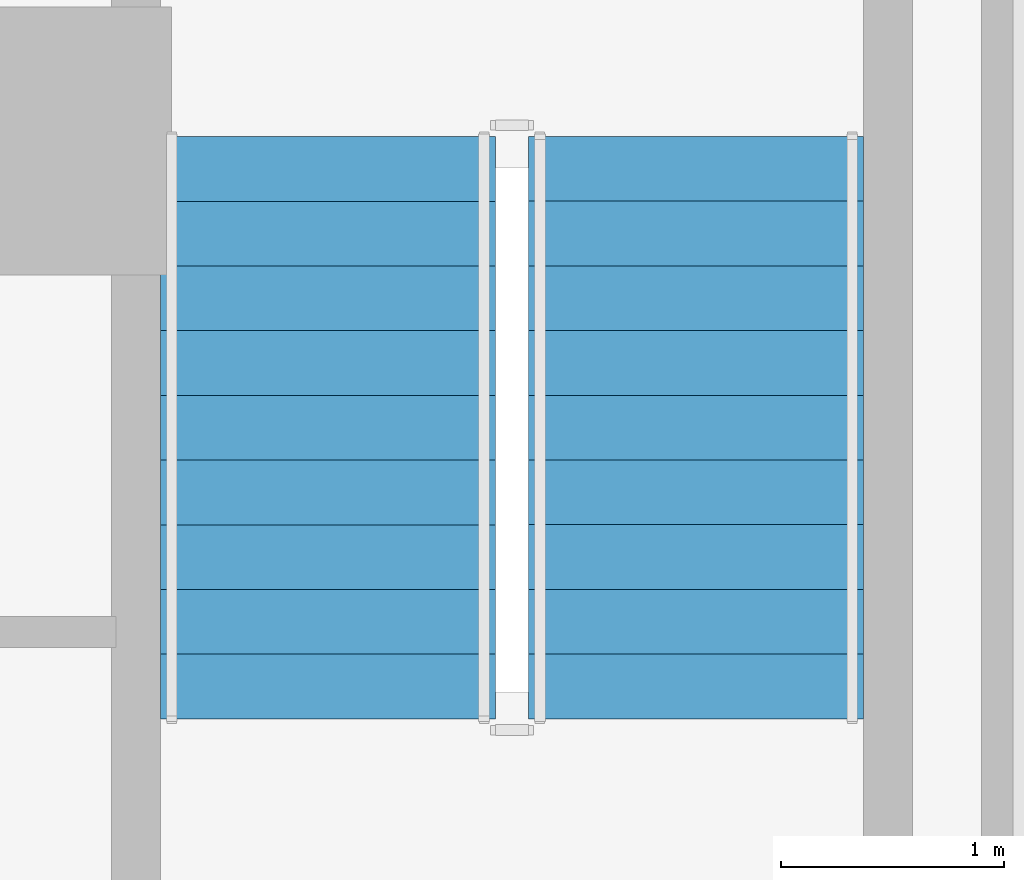
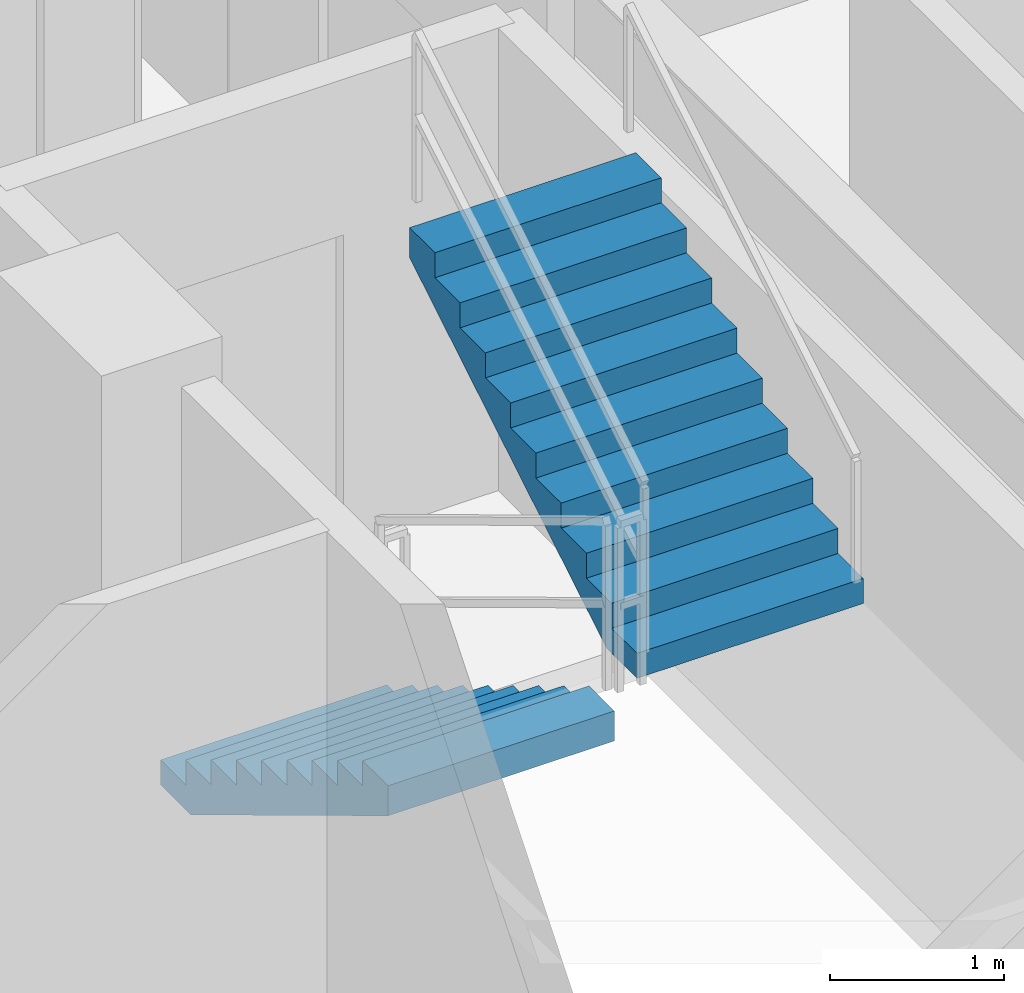
# One storey, part 27 of 31: 2 stair flights, 1 element without a shape of its own.
"""IFC4 building model written with IfcOpenShell, lengths in metres."""

from ifc_helpers import new_model, si_unit, direction, frame, origin, place, context, subcontext, project, spatial, polyline, outline, extrude, material, type_object, element, aggregate, save


model = new_model("IFC4")

# Units and contexts
model_context = context("Model", 3, precision=1e-05, world=origin(), true_north=direction((0.0, 1.0)))
body_context = subcontext(model_context, "Body", "Model", "MODEL_VIEW")
ifc_project = project(units=[si_unit("LENGTHUNIT", "METRE"), si_unit("AREAUNIT", "SQUARE_METRE"), si_unit("VOLUMEUNIT", "CUBIC_METRE"), si_unit("PLANEANGLEUNIT", "RADIAN"), si_unit("MASSUNIT", "GRAM", prefix="KILO")], contexts=[model_context])

# Site, building, storey
site_placement = place(None, origin())
site = spatial("IfcSite", under=ifc_project, at=site_placement, CompositionType="ELEMENT")
building_placement = place(site_placement, origin())
building = spatial("IfcBuilding", under=site, at=building_placement, Name="Vorneva Point Tower", CompositionType="ELEMENT")
storey_placement = place(building_placement, frame((0.0, 0.0, 136.10009765625)))
storey = spatial("IfcBuildingStorey", under=building, at=storey_placement, Name="L36", CompositionType="ELEMENT", Elevation=136.10009765625)

# Stair, stair flights
ifc_material = material(Name="Concrete B50 (C40/50)", Category="concrete")
stair_type = type_object("IfcStairType", Name="ST-DOG-1500", PredefinedType="HALF_TURN_STAIR", material=ifc_material)
stair_placement = place(storey_placement, origin())
stair = element("IfcStair", 1, at=stair_placement, inside=storey, type_object=stair_type, Name="L36 ST2", PredefinedType="HALF_TURN_STAIR")
stair_flight_type = type_object("IfcStairFlightType", Name="STF-1500", PredefinedType="STRAIGHT", material=ifc_material)
stair_flight_1_placement = place(storey_placement, frame((45.550048828125, 22.219970703125, 0.0), z_axis=(0.0, 0.0, 1.0), x_axis=(0.0, -1.0, 0.0)))
stair_flight_1 = element("IfcStairFlight", 2, at=stair_flight_1_placement, type_object=stair_flight_type, Name="ST2 flight 1", NumberOfRisers=10, NumberOfTreads=9, PredefinedType="STRAIGHT", RiserHeight=0.175, TreadLength=0.29, context=body_context, shape_type="SweptSolid", body=[
    extrude(outline(polyline([(0.0, 0.0), (0.0, 0.175048828125), (0.2900390625, 0.175048828125), (0.2900390625, 0.35009765625), (0.580078125, 0.35009765625), (0.580078125, 0.52490234375), (0.8701171875, 0.52490234375), (0.8701171875, 0.699951171875), (1.159912109375, 0.699951171875), (1.159912109375, 0.875), (1.449951171875, 0.875), (1.449951171875, 1.050048828125), (1.739990234375, 1.050048828125), (1.739990234375, 1.22509765625), (2.030029296875, 1.22509765625), (2.030029296875, 1.39990234375), (2.320068359375, 1.39990234375), (2.320068359375, 1.574951171875), (2.610107421875, 1.574951171875), (2.610107421875, 1.75), (2.610107421875, 1.36474609375), (0.34814453125, 0.0), (0.0, 0.0)])), frame((0.0, 0.75, 0.0), z_axis=(0.0, -1.0, 0.0), x_axis=(1.0, 0.0, 0.0)), (0.0, 0.0, 1.0), 1.5),
])
stair_flight_2_placement = place(storey_placement, frame((47.199951171875, 19.610107421875, 1.75), z_axis=(0.0, 0.0, 1.0), x_axis=(0.0, 1.0, 0.0)))
stair_flight_2 = element("IfcStairFlight", 3, at=stair_flight_2_placement, type_object=stair_flight_type, Name="ST2 flight 2", NumberOfRisers=10, NumberOfTreads=9, PredefinedType="STRAIGHT", RiserHeight=0.175, TreadLength=0.29, context=body_context, shape_type="SweptSolid", body=[
    extrude(outline(polyline([(0.0, 0.0), (0.0, 0.175048828125), (0.2900390625, 0.175048828125), (0.2900390625, 0.35009765625), (0.580078125, 0.35009765625), (0.580078125, 0.52490234375), (0.8701171875, 0.52490234375), (0.8701171875, 0.699951171875), (1.159912109375, 0.699951171875), (1.159912109375, 0.875), (1.449951171875, 0.875), (1.449951171875, 1.050048828125), (1.739990234375, 1.050048828125), (1.739990234375, 1.22509765625), (2.030029296875, 1.22509765625), (2.030029296875, 1.39990234375), (2.320068359375, 1.39990234375), (2.320068359375, 1.574951171875), (2.610107421875, 1.574951171875), (2.610107421875, 1.75), (2.610107421875, 1.36474609375), (0.34814453125, 0.0), (0.0, 0.0)])), frame((0.0, 0.75, 0.0), z_axis=(0.0, -1.0, 0.0), x_axis=(1.0, 0.0, 0.0)), (0.0, 0.0, 1.0), 1.5),
])
aggregate(stair, [stair_flight_1, stair_flight_2])

save(model, "model.ifc")
